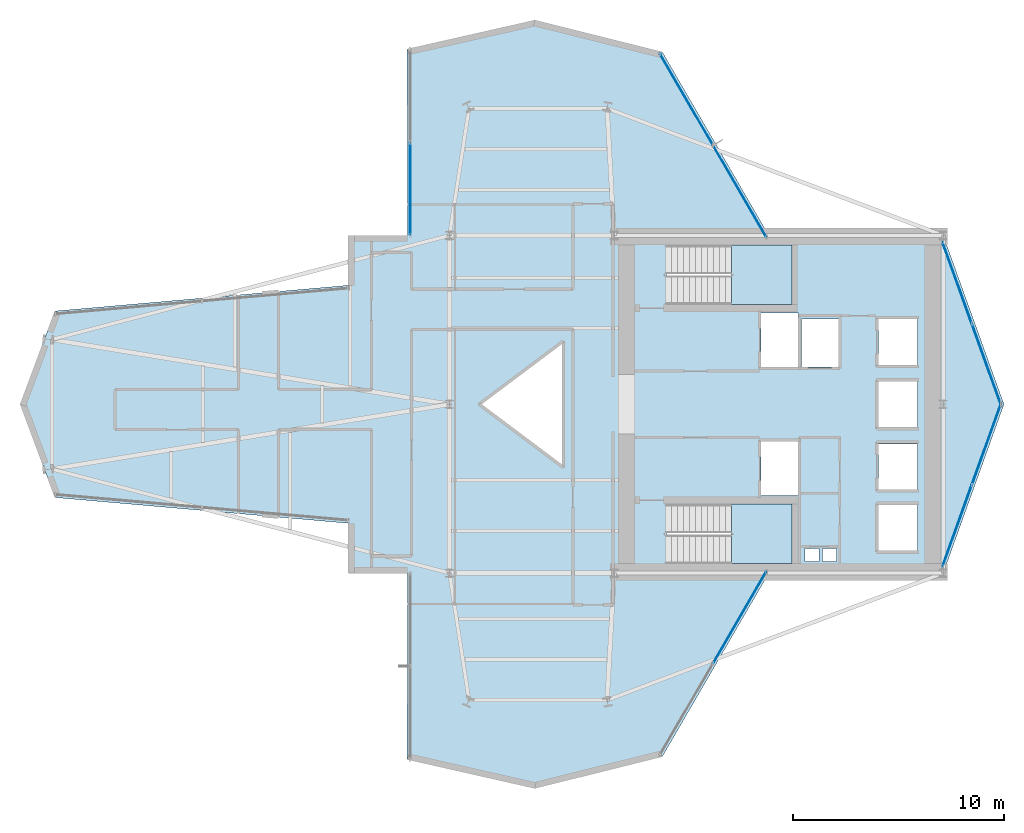
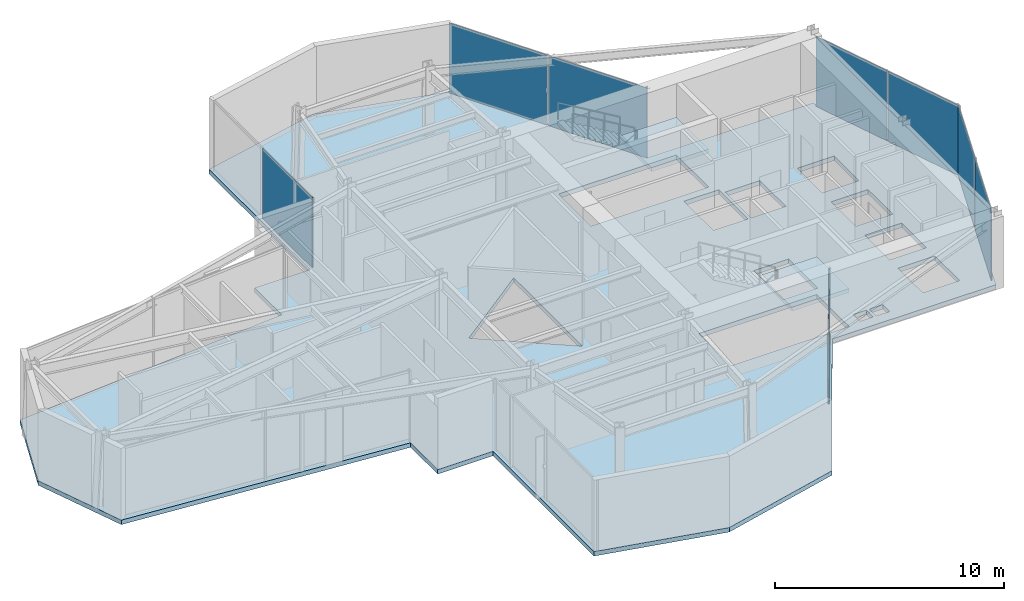
# One storey, part 20 of 25: 8 plates, 3 slabs, 7 elements without a shape of their own.
"""IFC4 building model written with IfcOpenShell, lengths in metres."""

import ifcopenshell
import ifcopenshell.guid

model = None  # the IFC model being written
_history = None  # IfcOwnerHistory: only IFC2X3 demands one
_inside = {}  # id of a spatial element -> (the spatial element, [elements in it])
_under = {}  # id of a project, library or spatial element -> (it, [spatial elements below it])
_declared = {}  # id of a project -> (the project, [libraries it declares])
_typed = {}  # id of a type object -> (the type object, [elements of that type])
_made_of = {}  # id of a material, layer set ... -> (it, [elements and type objects made of it])


def new_model(schema):
    """Start an empty IFC model of exactly this schema.

    Asked for "IFC4X3", IfcOpenShell would pick the latest addendum, in which some entities
    have other attributes; the version numbers below select the first issue.
    IFC2X3 requires an IfcOwnerHistory on every rooted entity: one is made here for all.
    """
    global model, _history
    if schema == "IFC4X3":
        model = ifcopenshell.file(schema_version=(4, 3, 0, 0))
    else:
        model = ifcopenshell.file(schema=schema)
    _inside.clear()
    _under.clear()
    _declared.clear()
    _typed.clear()
    _made_of.clear()
    _history = None
    if model.schema == "IFC2X3":
        org = make("IfcOrganization", Name="unknown")
        user = make(
            "IfcPersonAndOrganization",
            ThePerson=make("IfcPerson", FamilyName="unknown"),
            TheOrganization=org,
        )
        app = make(
            "IfcApplication",
            ApplicationDeveloper=org,
            Version="unknown",
            ApplicationFullName="unknown",
            ApplicationIdentifier="unknown",
        )
        _history = make(
            "IfcOwnerHistory",
            OwningUser=user,
            OwningApplication=app,
            ChangeAction="ADDED",
            CreationDate=0,
        )
    return model


def make(cls, **values):
    """One entity of the class cls with the attributes given. An attribute that is None is left unset."""
    return model.create_entity(
        cls, **{name: value for name, value in values.items() if value is not None}
    )


def rooted(cls, **values):
    """An entity with a GlobalId (a new one), such as an element, a storey or a relation."""
    return make(cls, GlobalId=ifcopenshell.guid.new(), OwnerHistory=_history, **values)


def si_unit(unit_type, name, prefix=None):
    """IfcSIUnit, for example si_unit("LENGTHUNIT", "METRE", prefix="MILLI")."""
    return make("IfcSIUnit", UnitType=unit_type, Prefix=prefix, Name=name)


def assignment(units):
    """IfcUnitAssignment: the units of a project."""
    return None if units is None else make("IfcUnitAssignment", Units=units)


def point(xyz):
    """IfcCartesianPoint."""
    return None if xyz is None else make("IfcCartesianPoint", Coordinates=xyz)


def direction(xyz):
    """IfcDirection."""
    return None if xyz is None else make("IfcDirection", DirectionRatios=xyz)


def frame(location, z_axis=None, x_axis=None):
    """IfcAxis2Placement3D, a coordinate frame: its origin and axes. An axis left out is left unset."""
    return make(
        "IfcAxis2Placement3D",
        Location=point(location),
        Axis=direction(z_axis),
        RefDirection=direction(x_axis),
    )


def frame_2d(location, x_axis=None):
    """IfcAxis2Placement2D, a coordinate frame in the plane: its origin and x axis."""
    return make(
        "IfcAxis2Placement2D", Location=point(location), RefDirection=direction(x_axis)
    )


def origin():
    """The frame at (0, 0, 0) with its axes left unset."""
    return frame((0.0, 0.0, 0.0))


def origin_2d():
    """The frame at (0, 0) in the plane with its x axis left unset."""
    return frame_2d((0.0, 0.0))


def place(relative_to, where):
    """IfcLocalPlacement: puts the frame where relative to a parent placement (None: the world)."""
    return make(
        "IfcLocalPlacement", PlacementRelTo=relative_to, RelativePlacement=where
    )


def context(
    kind, dimensions, precision=None, world=None, true_north=None, identifier=None
):
    """IfcGeometricRepresentationContext, for example the 3D "Model" context."""
    return make(
        "IfcGeometricRepresentationContext",
        ContextIdentifier=identifier,
        ContextType=kind,
        CoordinateSpaceDimension=dimensions,
        Precision=precision,
        WorldCoordinateSystem=world,
        TrueNorth=true_north,
    )


def subcontext(parent, identifier, kind, view, scale=None):
    """IfcGeometricRepresentationSubContext, for example "Body" below "Model"."""
    return make(
        "IfcGeometricRepresentationSubContext",
        ContextIdentifier=identifier,
        ContextType=kind,
        ParentContext=parent,
        TargetScale=scale,
        TargetView=view,
    )


def project(units=None, contexts=None):
    """IfcProject with its units and contexts."""
    return rooted(
        "IfcProject",
        Name="project",
        RepresentationContexts=contexts,
        UnitsInContext=assignment(units),
    )


def spatial(cls, under=None, at=None, **own):
    """A site, building, storey or space (cls), placed at a placement, below another one or the project."""
    s = rooted(cls, ObjectPlacement=at, **own)
    if under is not None:
        _under.setdefault(under.id(), (under, []))[1].append(s)
    return s


def polyline(points):
    """IfcPolyline through the points."""
    return make("IfcPolyline", Points=[point(p) for p in points])


def profile(cls, at=None, kind="AREA", **sizes):
    """A parametric profile (cls). Its sizes go by their IFC names, for example OverallWidth=200.0."""
    return make(cls, ProfileType=kind, Position=at, **sizes)


def rectangle(**sizes):
    """IfcRectangleProfileDef."""
    return profile("IfcRectangleProfileDef", **sizes)


def outline(outer, holes=None, kind="AREA"):
    """IfcArbitraryClosedProfileDef: a profile drawn as a closed curve; with holes, ...WithVoids."""
    if holes is None:
        return make("IfcArbitraryClosedProfileDef", ProfileType=kind, OuterCurve=outer)
    return make(
        "IfcArbitraryProfileDefWithVoids",
        ProfileType=kind,
        OuterCurve=outer,
        InnerCurves=holes,
    )


def extrude(swept, where, along, depth):
    """IfcExtrudedAreaSolid: the profile swept, set in the frame where, extruded along a direction by depth."""
    return make(
        "IfcExtrudedAreaSolid",
        SweptArea=swept,
        Position=where,
        ExtrudedDirection=direction(along),
        Depth=depth,
    )


def shape(context_of_items, identifier, shape_type, items):
    """IfcShapeRepresentation: the items that make up one representation, for example the "Body"."""
    return make(
        "IfcShapeRepresentation",
        ContextOfItems=context_of_items,
        RepresentationIdentifier=identifier,
        RepresentationType=shape_type,
        Items=items,
    )


def material(Name=None, Category=None):
    """IfcMaterial."""
    return make("IfcMaterial", Name=Name, Category=Category)


def layer(
    of_material, thickness, ventilated=None, Name=None, Category=None, Priority=None
):
    """IfcMaterialLayer: one layer of a wall or slab, of a material (None: an air gap)."""
    return make(
        "IfcMaterialLayer",
        Material=of_material,
        LayerThickness=thickness,
        IsVentilated=ventilated,
        Name=Name,
        Category=Category,
        Priority=Priority,
    )


def layer_set(layers, Name=None):
    """IfcMaterialLayerSet."""
    return make("IfcMaterialLayerSet", MaterialLayers=layers, LayerSetName=Name)


def made_of(thing, what):
    """Note that an element or type object is made of a material, layer set ...; save() writes the relation."""
    if what is not None:
        _made_of.setdefault(what.id(), (what, []))[1].append(thing)
    return thing


def type_object(cls, material=None, **own):
    """A type object (cls), such as IfcWallType, which elements share."""
    return made_of(rooted(cls, **own), material)


def element(
    cls,
    number,
    at=None,
    inside=None,
    cuts=None,
    type_object=None,
    material=None,
    context=None,
    identifier="Body",
    shape_type=None,
    held_by="IfcProductDefinitionShape",
    body=None,
    shapes=None,
    **own,
):
    """One element of the class cls, such as IfcWall. Its Tag is "e" and its number.

    at: its placement. inside: the storey or other place that contains it. cuts: it is an
    opening in that element (IfcRelVoidsElement). A single representation is given by context,
    identifier, shape_type and body (its items); several are given by shapes. held_by: the class
    of the entity that holds the representations. save() writes the other relations.
    """
    e = rooted(cls, Tag="e%d" % number, ObjectPlacement=at, **own)
    if body is not None:
        shapes = [shape(context, identifier, shape_type, body)]
    if shapes is not None:
        e.Representation = make(held_by, Representations=shapes)
    if inside is not None:
        _inside.setdefault(inside.id(), (inside, []))[1].append(e)
    if cuts is not None:
        rooted(
            "IfcRelVoidsElement", RelatingBuildingElement=cuts, RelatedOpeningElement=e
        )
    if type_object is not None:
        _typed.setdefault(type_object.id(), (type_object, []))[1].append(e)
    return made_of(e, material)


def aggregate(whole, parts):
    """IfcRelAggregates: a whole, such as a stair, and the parts it consists of."""
    return rooted("IfcRelAggregates", RelatingObject=whole, RelatedObjects=parts)


def save(model, path):
    """Write the relations noted so far, then the file.

    IfcRelAggregates (storeys below a building ...), IfcRelContainedInSpatialStructure (elements
    in a storey), IfcRelDefinesByType, IfcRelAssociatesMaterial and IfcRelDeclares: one each for
    every whole, place, type object, material and project.
    """
    for whole, parts in _under.values():
        aggregate(whole, parts)
    for where, things in _inside.values():
        rooted(
            "IfcRelContainedInSpatialStructure",
            RelatedElements=things,
            RelatingStructure=where,
        )
    for kind, things in _typed.values():
        rooted("IfcRelDefinesByType", RelatedObjects=things, RelatingType=kind)
    for what, things in _made_of.values():
        rooted("IfcRelAssociatesMaterial", RelatedObjects=things, RelatingMaterial=what)
    for by, libraries in _declared.values():
        rooted("IfcRelDeclares", RelatingContext=by, RelatedDefinitions=libraries)
    model.write(path)


model = new_model("IFC4")

# Units and contexts
model_context = context("Model", 3, precision=1e-05, world=origin(), true_north=direction((0.0, 1.0)))
body_context = subcontext(model_context, "Body", "Model", "MODEL_VIEW")
ifc_project = project(units=[si_unit("LENGTHUNIT", "METRE"), si_unit("AREAUNIT", "SQUARE_METRE"), si_unit("VOLUMEUNIT", "CUBIC_METRE"), si_unit("PLANEANGLEUNIT", "RADIAN"), si_unit("MASSUNIT", "GRAM", prefix="KILO")], contexts=[model_context])

# Site, building, storey
site_placement = place(None, origin())
site = spatial("IfcSite", under=ifc_project, at=site_placement, CompositionType="ELEMENT")
building_placement = place(site_placement, origin())
building = spatial("IfcBuilding", under=site, at=building_placement, Name="Veymaron Broadcast Tower", CompositionType="ELEMENT")
storey_placement = place(building_placement, frame((0.0, 0.0, 173.550048828125)))
storey = spatial("IfcBuildingStorey", under=building, at=storey_placement, Name="L40", CompositionType="ELEMENT", Elevation=173.550048828125)

# Curtain wall, plates
ifc_material_1 = material(Name="Anodised aluminium AA 6063-T6 and laminated low-E dark glass", Category="aluminium")
ifc_layer_1 = layer(ifc_material_1, 0.179931640625)
ifc_layer_set_1 = layer_set([ifc_layer_1], Name="Anodised aluminium AA 6063-T6 and laminated low-E dark glass")
curtain_wall_type = type_object("IfcCurtainWallType", Name="CW-SYS-03", PredefinedType="NOTDEFINED", material=ifc_layer_set_1)
curtain_wall_1_placement = place(storey_placement, origin())
curtain_wall_1 = element("IfcCurtainWall", 1, at=curtain_wall_1_placement, inside=storey, type_object=curtain_wall_type, Name="L40 dark-glass curtain wall CW-L40-E2-1", PredefinedType="NOTDEFINED")
ifc_material_2 = material(Name="Insulated dark-anodised aluminium spandrel panel 40 mm", Category="aluminium")
ifc_layer_2 = layer(ifc_material_2, 0.0400390625)
ifc_layer_set_2 = layer_set([ifc_layer_2], Name="Insulated dark-anodised aluminium spandrel panel 40 mm")
plate_type = type_object("IfcPlateType", Name="CW-PNL-03", PredefinedType="CURTAIN_PANEL", material=ifc_layer_set_2)
plate_1_placement = place(storey_placement, frame((55.25537109375, 18.236083984375, 0.0400390625), z_axis=(0.0, 0.0, 1.0), x_axis=(0.338409470269, 0.94099895347, 0.0)))
plate_1 = element("IfcPlate", 2, at=plate_1_placement, type_object=plate_type, Name="CW-L40-E2-1 unitised curtain panel 0", PredefinedType="CURTAIN_PANEL", context=body_context, shape_type="SweptSolid", body=[
    extrude(rectangle(XDim=4.05712890625, YDim=0.0400390625, at=origin_2d()), origin(), (0.0, 0.0, 1.0), 3.72998046875),
])
plate_2_placement = place(storey_placement, frame((56.648681640625, 22.1103515625, 0.0400390625), z_axis=(0.0, 0.0, 1.0), x_axis=(0.338409470269, 0.94099895347, 0.0)))
plate_2 = element("IfcPlate", 3, at=plate_2_placement, type_object=plate_type, Name="CW-L40-E2-1 unitised curtain panel 1", PredefinedType="CURTAIN_PANEL", context=body_context, shape_type="SweptSolid", body=[
    extrude(rectangle(XDim=4.05712890625, YDim=0.0400390625, at=origin_2d()), origin(), (0.0, 0.0, 1.0), 3.72998046875),
])
aggregate(curtain_wall_1, [plate_1, plate_2])

curtain_wall_2_placement = place(storey_placement, origin())
curtain_wall_2 = element("IfcCurtainWall", 4, at=curtain_wall_2_placement, inside=storey, type_object=curtain_wall_type, Name="L40 dark-glass curtain wall CW-L40-E3-1", PredefinedType="NOTDEFINED")
plate_3_placement = place(storey_placement, frame((56.648681640625, 25.8896484375, 0.0400390625), z_axis=(0.0, 0.0, 1.0), x_axis=(-0.338409470269, 0.94099895347, 0.0)))
plate_3 = element("IfcPlate", 5, at=plate_3_placement, type_object=plate_type, Name="CW-L40-E3-1 unitised curtain panel 0", PredefinedType="CURTAIN_PANEL", context=body_context, shape_type="SweptSolid", body=[
    extrude(rectangle(XDim=4.05712890625, YDim=0.0400390625, at=origin_2d()), origin(), (0.0, 0.0, 1.0), 3.72998046875),
])
plate_4_placement = place(storey_placement, frame((55.25537109375, 29.763916015625, 0.0400390625), z_axis=(0.0, 0.0, 1.0), x_axis=(-0.338409470269, 0.94099895347, 0.0)))
plate_4 = element("IfcPlate", 6, at=plate_4_placement, type_object=plate_type, Name="CW-L40-E3-1 unitised curtain panel 1", PredefinedType="CURTAIN_PANEL", context=body_context, shape_type="SweptSolid", body=[
    extrude(rectangle(XDim=4.05712890625, YDim=0.0400390625, at=origin_2d()), origin(), (0.0, 0.0, 1.0), 3.72998046875),
])
aggregate(curtain_wall_2, [plate_3, plate_4])

curtain_wall_3_placement = place(storey_placement, origin())
curtain_wall_3 = element("IfcCurtainWall", 7, at=curtain_wall_3_placement, inside=storey, type_object=curtain_wall_type, Name="L40 dark-glass curtain wall CW-L40-E5-1", PredefinedType="NOTDEFINED")
plate_5_placement = place(storey_placement, frame((44.952392578125, 34.103271484375, 0.0400390625), z_axis=(0.0, 0.0, 1.0), x_axis=(-0.502084416969, 0.864818615801, 0.0)))
plate_5 = element("IfcPlate", 8, at=plate_5_placement, type_object=plate_type, Name="CW-L40-E5-1 unitised curtain panel 0", PredefinedType="CURTAIN_PANEL", context=body_context, shape_type="SweptSolid", body=[
    extrude(rectangle(XDim=4.966552734375, YDim=0.0400390625, at=origin_2d()), origin(), (0.0, 0.0, 1.0), 3.72998046875),
])
plate_6_placement = place(storey_placement, frame((42.4287109375, 38.4501953125, 0.0400390625), z_axis=(0.0, 0.0, 1.0), x_axis=(-0.502084416969, 0.864818615801, 0.0)))
plate_6 = element("IfcPlate", 9, at=plate_6_placement, type_object=plate_type, Name="CW-L40-E5-1 unitised curtain panel 1", PredefinedType="CURTAIN_PANEL", context=body_context, shape_type="SweptSolid", body=[
    extrude(rectangle(XDim=4.966552734375, YDim=0.0400390625, at=origin_2d()), origin(), (0.0, 0.0, 1.0), 3.72998046875),
])
aggregate(curtain_wall_3, [plate_5, plate_6])

# Curtain wall, plate
curtain_wall_4_placement = place(storey_placement, origin())
curtain_wall_4 = element("IfcCurtainWall", 10, at=curtain_wall_4_placement, inside=storey, type_object=curtain_wall_type, Name="L40 dark-glass curtain wall CW-L40-E8-1", PredefinedType="NOTDEFINED")
plate_7_placement = place(storey_placement, frame((29.343505859375, 34.2080078125, 0.0400390625), z_axis=(0.0, 0.0, 1.0), x_axis=(0.001448622772, -0.999998950745, 0.0)))
plate_7 = element("IfcPlate", 11, at=plate_7_placement, type_object=plate_type, Name="CW-L40-E8-1 unitised curtain panel 1", PredefinedType="CURTAIN_PANEL", context=body_context, shape_type="SweptSolid", body=[
    extrude(rectangle(XDim=4.35546875, YDim=0.0400390625, at=origin_2d()), origin(), (0.0, 0.0, 1.0), 3.72998046875),
])
aggregate(curtain_wall_4, [plate_7])

curtain_wall_5_placement = place(storey_placement, origin())
curtain_wall_5 = element("IfcCurtainWall", 12, at=curtain_wall_5_placement, inside=storey, type_object=curtain_wall_type, Name="L40 dark-glass curtain wall CW-L40-E20-1", PredefinedType="NOTDEFINED")
plate_8_placement = place(storey_placement, frame((44.952392578125, 13.896728515625, 0.0400390625), z_axis=(0.0, 0.0, 1.0), x_axis=(0.502084416969, 0.864818615801, 0.0)))
plate_8 = element("IfcPlate", 13, at=plate_8_placement, type_object=plate_type, Name="CW-L40-E20-1 unitised curtain panel 1", PredefinedType="CURTAIN_PANEL", context=body_context, shape_type="SweptSolid", body=[
    extrude(rectangle(XDim=4.966552734375, YDim=0.0400390625, at=origin_2d()), origin(), (0.0, 0.0, 1.0), 3.72998046875),
])
aggregate(curtain_wall_5, [plate_8])

# Slab
ifc_material_3 = material(Name="Concrete C40/50", Category="concrete")
ifc_layer_3 = layer(ifc_material_3, 0.239990234375)
ifc_layer_set_3 = layer_set([ifc_layer_3], Name="Concrete C40/50")
slab_type_1 = type_object("IfcSlabType", Name="SLAB-FS6", PredefinedType="FLOOR", material=ifc_layer_set_3)
slab_1_placement = place(storey_placement, frame((0.0, 0.0, -0.239990234375)))
element("IfcSlab", 14, at=slab_1_placement, inside=storey, type_object=slab_type_1, Name="L40 structural floor slab", PredefinedType="FLOOR", context=body_context, shape_type="SweptSolid", body=[
    extrude(outline(polyline([(46.33544921875, 16.0), (54.60009765625, 16.0), (57.47705078125, 24.0), (54.60009765625, 32.0), (46.33544921875, 32.0), (41.2880859375, 40.694091796875), (35.240966796875, 42.200927734375), (29.194091796875, 40.8310546875), (29.206787109375, 32.0), (26.407958984375, 32.0), (26.407958984375, 29.638916015625), (12.5, 28.4189453125), (10.85595703125, 24.0), (12.5, 19.5810546875), (26.407958984375, 18.361083984375), (26.407958984375, 16.0), (29.206787109375, 16.0), (29.194091796875, 7.1689453125), (35.240966796875, 5.799072265625), (41.2880859375, 7.305908203125), (46.33544921875, 16.0)]), holes=[polyline([(45.969970703125, 28.330078125), (47.72998046875, 28.330078125), (47.72998046875, 25.77001953125), (45.969970703125, 25.77001953125), (45.969970703125, 28.330078125)]), polyline([(45.969970703125, 22.22998046875), (47.72998046875, 22.22998046875), (47.72998046875, 19.669921875), (45.969970703125, 19.669921875), (45.969970703125, 22.22998046875)]), polyline([(47.8701171875, 28.030029296875), (49.6298828125, 28.030029296875), (49.6298828125, 25.77001953125), (47.8701171875, 25.77001953125), (47.8701171875, 28.030029296875)]), polyline([(51.52001953125, 28.030029296875), (53.3798828125, 28.030029296875), (53.3798828125, 25.8701171875), (51.52001953125, 25.8701171875), (51.52001953125, 28.030029296875)]), polyline([(51.52001953125, 22.1298828125), (53.3798828125, 22.1298828125), (53.3798828125, 19.969970703125), (51.52001953125, 19.969970703125), (51.52001953125, 22.1298828125)]), polyline([(51.52001953125, 25.080078125), (53.3798828125, 25.080078125), (53.3798828125, 22.919921875), (51.52001953125, 22.919921875), (51.52001953125, 25.080078125)]), polyline([(51.52001953125, 19.22998046875), (53.3798828125, 19.22998046875), (53.3798828125, 17.070068359375), (51.52001953125, 17.070068359375), (51.52001953125, 19.22998046875)]), polyline([(48.050048828125, 17.159912109375), (48.719970703125, 17.159912109375), (48.719970703125, 16.56005859375), (48.050048828125, 16.56005859375), (48.050048828125, 17.159912109375)]), polyline([(48.8798828125, 17.159912109375), (49.550048828125, 17.159912109375), (49.550048828125, 16.56005859375), (48.8798828125, 16.56005859375), (48.8798828125, 17.159912109375)]), polyline([(36.60009765625, 27.0), (36.60009765625, 21.0), (32.60009765625, 24.0), (36.60009765625, 27.0)]), polyline([(41.489990234375, 31.550048828125), (47.43994140625, 31.550048828125), (47.43994140625, 28.72998046875), (41.489990234375, 28.72998046875), (41.489990234375, 31.550048828125)]), polyline([(41.489990234375, 19.27001953125), (47.43994140625, 19.27001953125), (47.43994140625, 16.449951171875), (41.489990234375, 16.449951171875), (41.489990234375, 19.27001953125)])]), origin(), (0.0, 0.0, 1.0), 0.239990234375),
])

# Stair, slab
ifc_material_4 = material(Name="Concrete C50/60", Category="concrete")
stair_type_1 = type_object("IfcStairType", Name="STAIR-CORE-1", PredefinedType="HALF_TURN_STAIR", material=ifc_material_4)
stair_1_placement = place(storey_placement, origin())
stair_1 = element("IfcStair", 15, at=stair_1_placement, inside=storey, type_object=stair_type_1, Name="L40 North protected dog-leg exit stair ST1", PredefinedType="HALF_TURN_STAIR")
ifc_layer_4 = layer(ifc_material_4, 0.199951171875)
ifc_layer_set_4 = layer_set([ifc_layer_4], Name="Concrete C50/60")
slab_type_2 = type_object("IfcSlabType", Name="SLAB-STAIR-LDG", PredefinedType="LANDING", material=ifc_layer_set_4)
slab_2_placement = place(storey_placement, frame((0.0, 0.0, 1.824951171875)))
slab_2 = element("IfcSlab", 16, at=slab_2_placement, type_object=slab_type_2, Name="ST1 landing 1", PredefinedType="LANDING", context=body_context, shape_type="SweptSolid", body=[
    extrude(outline(polyline([(44.56494140625, 28.72998046875), (47.43994140625, 28.72998046875), (47.43994140625, 31.550048828125), (44.56494140625, 31.550048828125), (44.56494140625, 28.72998046875)])), origin(), (0.0, 0.0, 1.0), 0.199951171875),
])
aggregate(stair_1, [slab_2])

stair_type_2 = type_object("IfcStairType", Name="STAIR-CORE-2", PredefinedType="HALF_TURN_STAIR", material=ifc_material_4)
stair_2_placement = place(storey_placement, origin())
stair_2 = element("IfcStair", 17, at=stair_2_placement, inside=storey, type_object=stair_type_2, Name="L40 South protected dog-leg exit stair ST2", PredefinedType="HALF_TURN_STAIR")
slab_3_placement = place(storey_placement, frame((0.0, 0.0, 1.824951171875)))
slab_3 = element("IfcSlab", 18, at=slab_3_placement, type_object=slab_type_2, Name="ST2 landing 1", PredefinedType="LANDING", context=body_context, shape_type="SweptSolid", body=[
    extrude(outline(polyline([(44.56494140625, 16.449951171875), (47.43994140625, 16.449951171875), (47.43994140625, 19.27001953125), (44.56494140625, 19.27001953125), (44.56494140625, 16.449951171875)])), origin(), (0.0, 0.0, 1.0), 0.199951171875),
])
aggregate(stair_2, [slab_3])

save(model, "model.ifc")
